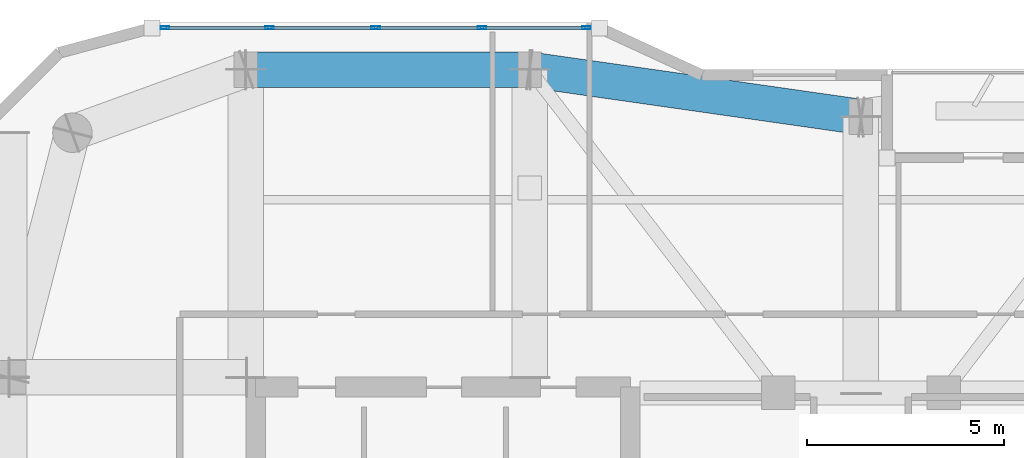
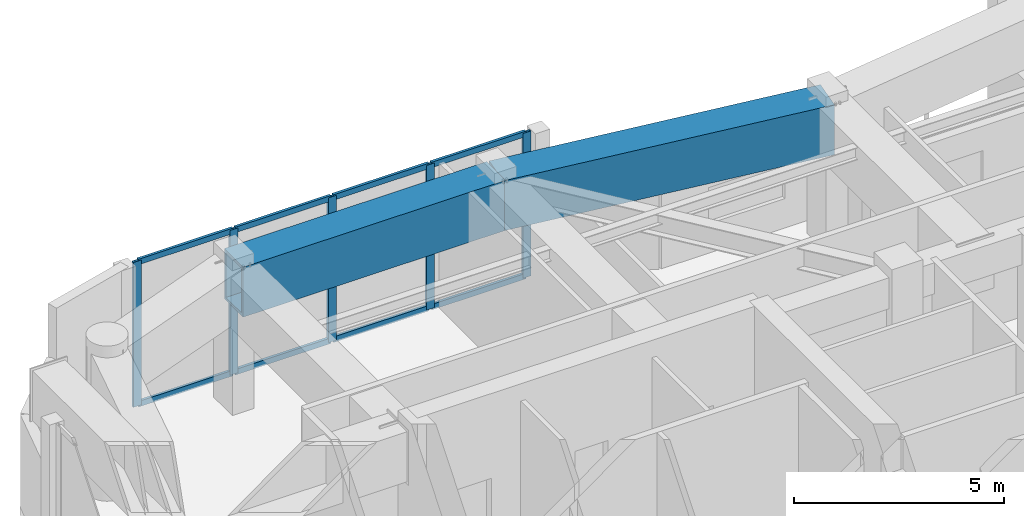
# One storey, part 6 of 17: 13 members, 2 beams, 1 element without a shape of its own.
"""IFC4 building model written with IfcOpenShell, lengths in metres."""

from ifc_helpers import new_model, si_unit, direction, frame, origin, origin_2d, place, context, subcontext, project, spatial, hollow_rectangle, extrude, material, layer, layer_set, material_profile, profile_set, type_object, element, aggregate, save


model = new_model("IFC4")

# Units and contexts
model_context = context("Model", 3, precision=1e-05, world=origin(), true_north=direction((0.0, 1.0)))
body_context = subcontext(model_context, "Body", "Model", "MODEL_VIEW")
ifc_project = project(units=[si_unit("LENGTHUNIT", "METRE"), si_unit("AREAUNIT", "SQUARE_METRE"), si_unit("VOLUMEUNIT", "CUBIC_METRE"), si_unit("PLANEANGLEUNIT", "RADIAN"), si_unit("MASSUNIT", "GRAM", prefix="KILO")], contexts=[model_context])

# Site, building, storey
site_placement = place(None, origin())
site = spatial("IfcSite", under=ifc_project, at=site_placement, CompositionType="ELEMENT")
building_placement = place(site_placement, origin())
building = spatial("IfcBuilding", under=site, at=building_placement, Name="Kiyonajd Concourse Tower", CompositionType="ELEMENT")
storey_placement = place(building_placement, frame((0.0, 0.0, 350.39990234375)))
storey = spatial("IfcBuildingStorey", under=building, at=storey_placement, Name="L88", CompositionType="ELEMENT", Elevation=350.39990234375)

# Beams
ifc_material_1 = material(Name="Steel ASTM A572 Grade 50", Category="steel")
ifc_material_profile_1 = material_profile(ifc_material_1, hollow_rectangle(XDim=0.89990234375, YDim=1.449951171875, WallThickness=0.074951171875, at=origin_2d()), Name="BOX-1450x900x75")
ifc_profile_set_1 = profile_set([ifc_material_profile_1], Name="Steel ASTM A572 Grade 50")
beam_type = type_object("IfcBeamType", Name="BM-XFER-1800", PredefinedType="BEAM", material=ifc_profile_set_1)
beam_1_placement = place(storey_placement, frame((48.0, 51.0, 3.47509765625), z_axis=(-0.989950069105, 0.141417328072, 0.0), x_axis=(-0.141417328072, -0.989950069105, 0.0)))
element("IfcBeam", 1, at=beam_1_placement, inside=storey, type_object=beam_type, Name="L88 Perimeter Bundled Tube Spandrel", PredefinedType="BEAM", context=body_context, shape_type="SweptSolid", body=[
    extrude(hollow_rectangle(XDim=0.89990234375, YDim=1.449951171875, WallThickness=0.074951171875, at=origin_2d()), origin(), (0.0, 0.0, 1.0), 8.485107421875),
])
beam_2_placement = place(storey_placement, frame((39.60009765625, 52.199951171875, 3.47509765625), z_axis=(-1.0, 0.0, 0.0), x_axis=(0.0, -1.0, 0.0)))
element("IfcBeam", 2, at=beam_2_placement, inside=storey, type_object=beam_type, Name="L88 Perimeter Bundled Tube Spandrel", PredefinedType="BEAM", context=body_context, shape_type="SweptSolid", body=[
    extrude(hollow_rectangle(XDim=0.89990234375, YDim=1.449951171875, WallThickness=0.074951171875, at=origin_2d()), origin(), (0.0, 0.0, 1.0), 7.2001953125),
])

# Curtain wall, members
ifc_material_2 = material(Name="Thermally Broken Anodised Aluminium", Category="aluminium")
ifc_layer = layer(ifc_material_2, 0.179931640625)
ifc_layer_set = layer_set([ifc_layer], Name="Thermally Broken Anodised Aluminium")
curtain_wall_type = type_object("IfcCurtainWallType", Name="CW-SYS-06", PredefinedType="NOTDEFINED", material=ifc_layer_set)
curtain_wall_placement = place(storey_placement, origin())
curtain_wall = element("IfcCurtainWall", 3, at=curtain_wall_placement, inside=storey, type_object=curtain_wall_type, Name="L88 Unitised Curtain Wall CW6", PredefinedType="NOTDEFINED")
ifc_material_profile_2 = material_profile(ifc_material_2, hollow_rectangle(XDim=0.074951171875, YDim=0.219970703125, WallThickness=0.0048828125, at=origin_2d()), Name="MULL-75x220")
ifc_profile_set_2 = profile_set([ifc_material_profile_2], Name="Thermally Broken Anodised Aluminium")
member_type_1 = type_object("IfcMemberType", Name="MB-CW-MULL2", PredefinedType="MULLION", material=ifc_profile_set_2)
member_1_placement = place(storey_placement, frame((30.345947265625, 53.260009765625, 0.0), z_axis=(0.0, 0.0, 1.0), x_axis=(0.0, 1.0, 0.0)))
member_1 = element("IfcMember", 4, at=member_1_placement, type_object=member_type_1, Name="CW6 mullion 1", PredefinedType="MULLION", context=body_context, shape_type="SweptSolid", body=[
    extrude(hollow_rectangle(XDim=0.074951171875, YDim=0.219970703125, WallThickness=0.0048828125, at=origin_2d()), origin(), (0.0, 0.0, 1.0), 4.2001953125),
])
member_2_placement = place(storey_placement, frame((33.001220703125, 53.260009765625, 0.0), z_axis=(0.0, 0.0, 1.0), x_axis=(0.0, 1.0, 0.0)))
member_2 = element("IfcMember", 5, at=member_2_placement, type_object=member_type_1, Name="CW6 mullion 2", PredefinedType="MULLION", context=body_context, shape_type="SweptSolid", body=[
    extrude(hollow_rectangle(XDim=0.074951171875, YDim=0.219970703125, WallThickness=0.0048828125, at=origin_2d()), origin(), (0.0, 0.0, 1.0), 4.2001953125),
])
member_3_placement = place(storey_placement, frame((35.69384765625, 53.260009765625, 0.0), z_axis=(0.0, 0.0, 1.0), x_axis=(0.0, 1.0, 0.0)))
member_3 = element("IfcMember", 6, at=member_3_placement, type_object=member_type_1, Name="CW6 mullion 3", PredefinedType="MULLION", context=body_context, shape_type="SweptSolid", body=[
    extrude(hollow_rectangle(XDim=0.074951171875, YDim=0.219970703125, WallThickness=0.0048828125, at=origin_2d()), origin(), (0.0, 0.0, 1.0), 4.2001953125),
])
member_4_placement = place(storey_placement, frame((38.386474609375, 53.260009765625, 0.0), z_axis=(0.0, 0.0, 1.0), x_axis=(0.0, 1.0, 0.0)))
member_4 = element("IfcMember", 7, at=member_4_placement, type_object=member_type_1, Name="CW6 mullion 4", PredefinedType="MULLION", context=body_context, shape_type="SweptSolid", body=[
    extrude(hollow_rectangle(XDim=0.074951171875, YDim=0.219970703125, WallThickness=0.0048828125, at=origin_2d()), origin(), (0.0, 0.0, 1.0), 4.2001953125),
])
member_5_placement = place(storey_placement, frame((41.041748046875, 53.260009765625, 0.0), z_axis=(0.0, 0.0, 1.0), x_axis=(0.0, 1.0, 0.0)))
member_5 = element("IfcMember", 8, at=member_5_placement, type_object=member_type_1, Name="CW6 mullion 5", PredefinedType="MULLION", context=body_context, shape_type="SweptSolid", body=[
    extrude(hollow_rectangle(XDim=0.074951171875, YDim=0.219970703125, WallThickness=0.0048828125, at=origin_2d()), origin(), (0.0, 0.0, 1.0), 4.2001953125),
])
ifc_material_profile_3 = material_profile(ifc_material_2, hollow_rectangle(XDim=0.074951171875, YDim=0.159912109375, WallThickness=0.0048828125, at=origin_2d()), Name="TRAN-75x160")
ifc_profile_set_3 = profile_set([ifc_material_profile_3], Name="Thermally Broken Anodised Aluminium")
member_type_2 = type_object("IfcMemberType", Name="MB-CW-TRAN2", PredefinedType="USERDEFINED", material=ifc_profile_set_3)
member_6_placement = place(storey_placement, frame((30.38330078125, 53.260009765625, 0.03759765625), z_axis=(1.0, 0.0, 0.0), x_axis=(0.0, 1.0, 0.0)))
member_6 = element("IfcMember", 9, at=member_6_placement, type_object=member_type_2, Name="CW6 transom 1.1", ObjectType="TRANSOM", PredefinedType="USERDEFINED", context=body_context, shape_type="SweptSolid", body=[
    extrude(hollow_rectangle(XDim=0.074951171875, YDim=0.159912109375, WallThickness=0.0048828125, at=origin_2d()), origin(), (0.0, 0.0, 1.0), 2.580322265625),
])
member_7_placement = place(storey_placement, frame((30.38330078125, 53.260009765625, 4.16259765625), z_axis=(1.0, 0.0, 0.0), x_axis=(0.0, 1.0, 0.0)))
member_7 = element("IfcMember", 10, at=member_7_placement, type_object=member_type_2, Name="CW6 transom 1.2", ObjectType="TRANSOM", PredefinedType="USERDEFINED", context=body_context, shape_type="SweptSolid", body=[
    extrude(hollow_rectangle(XDim=0.074951171875, YDim=0.159912109375, WallThickness=0.0048828125, at=origin_2d()), origin(), (0.0, 0.0, 1.0), 2.580322265625),
])
member_8_placement = place(storey_placement, frame((33.03857421875, 53.260009765625, 0.03759765625), z_axis=(1.0, 0.0, 0.0), x_axis=(0.0, 1.0, 0.0)))
member_8 = element("IfcMember", 11, at=member_8_placement, type_object=member_type_2, Name="CW6 transom 2.1", ObjectType="TRANSOM", PredefinedType="USERDEFINED", context=body_context, shape_type="SweptSolid", body=[
    extrude(hollow_rectangle(XDim=0.074951171875, YDim=0.159912109375, WallThickness=0.0048828125, at=origin_2d()), origin(), (0.0, 0.0, 1.0), 2.61767578125),
])
member_9_placement = place(storey_placement, frame((33.03857421875, 53.260009765625, 4.16259765625), z_axis=(1.0, 0.0, 0.0), x_axis=(0.0, 1.0, 0.0)))
member_9 = element("IfcMember", 12, at=member_9_placement, type_object=member_type_2, Name="CW6 transom 2.2", ObjectType="TRANSOM", PredefinedType="USERDEFINED", context=body_context, shape_type="SweptSolid", body=[
    extrude(hollow_rectangle(XDim=0.074951171875, YDim=0.159912109375, WallThickness=0.0048828125, at=origin_2d()), origin(), (0.0, 0.0, 1.0), 2.61767578125),
])
member_10_placement = place(storey_placement, frame((35.7314453125, 53.260009765625, 0.03759765625), z_axis=(1.0, 0.0, 0.0), x_axis=(0.0, 1.0, 0.0)))
member_10 = element("IfcMember", 13, at=member_10_placement, type_object=member_type_2, Name="CW6 transom 3.1", ObjectType="TRANSOM", PredefinedType="USERDEFINED", context=body_context, shape_type="SweptSolid", body=[
    extrude(hollow_rectangle(XDim=0.074951171875, YDim=0.159912109375, WallThickness=0.0048828125, at=origin_2d()), origin(), (0.0, 0.0, 1.0), 2.61767578125),
])
member_11_placement = place(storey_placement, frame((35.7314453125, 53.260009765625, 4.16259765625), z_axis=(1.0, 0.0, 0.0), x_axis=(0.0, 1.0, 0.0)))
member_11 = element("IfcMember", 14, at=member_11_placement, type_object=member_type_2, Name="CW6 transom 3.2", ObjectType="TRANSOM", PredefinedType="USERDEFINED", context=body_context, shape_type="SweptSolid", body=[
    extrude(hollow_rectangle(XDim=0.074951171875, YDim=0.159912109375, WallThickness=0.0048828125, at=origin_2d()), origin(), (0.0, 0.0, 1.0), 2.61767578125),
])
member_12_placement = place(storey_placement, frame((38.424072265625, 53.260009765625, 0.03759765625), z_axis=(1.0, 0.0, 0.0), x_axis=(0.0, 1.0, 0.0)))
member_12 = element("IfcMember", 15, at=member_12_placement, type_object=member_type_2, Name="CW6 transom 4.1", ObjectType="TRANSOM", PredefinedType="USERDEFINED", context=body_context, shape_type="SweptSolid", body=[
    extrude(hollow_rectangle(XDim=0.074951171875, YDim=0.159912109375, WallThickness=0.0048828125, at=origin_2d()), origin(), (0.0, 0.0, 1.0), 2.580322265625),
])
member_13_placement = place(storey_placement, frame((38.424072265625, 53.260009765625, 4.16259765625), z_axis=(1.0, 0.0, 0.0), x_axis=(0.0, 1.0, 0.0)))
member_13 = element("IfcMember", 16, at=member_13_placement, type_object=member_type_2, Name="CW6 transom 4.2", ObjectType="TRANSOM", PredefinedType="USERDEFINED", context=body_context, shape_type="SweptSolid", body=[
    extrude(hollow_rectangle(XDim=0.074951171875, YDim=0.159912109375, WallThickness=0.0048828125, at=origin_2d()), origin(), (0.0, 0.0, 1.0), 2.580322265625),
])
aggregate(curtain_wall, [member_1, member_2, member_3, member_4, member_5, member_6, member_7, member_8, member_9, member_10, member_11, member_12, member_13])

save(model, "model.ifc")
